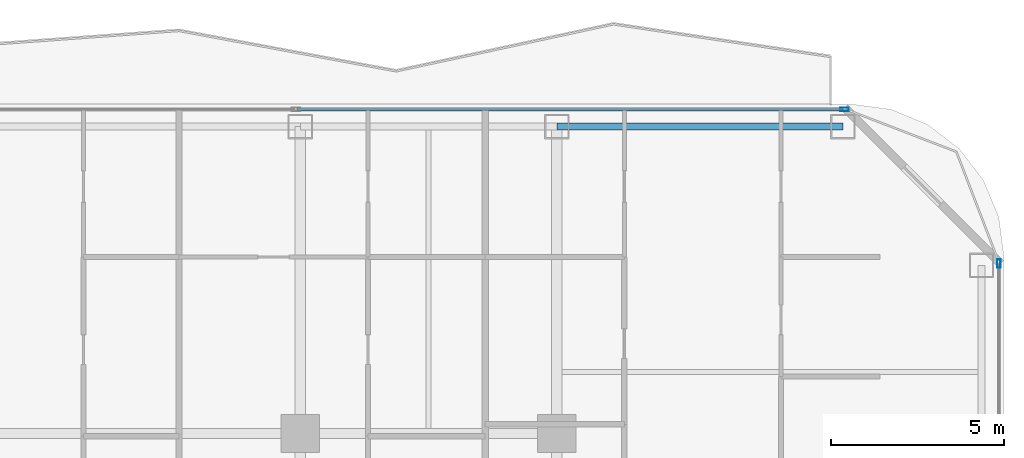
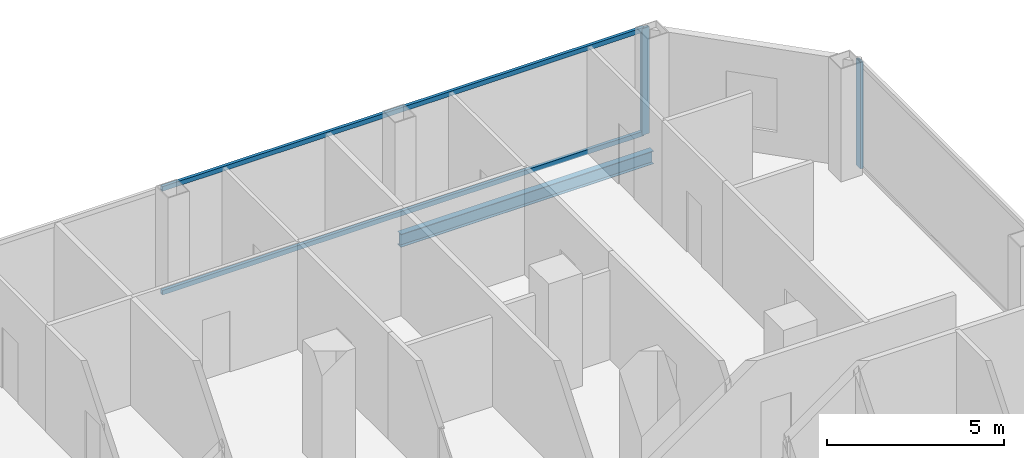
# One storey, part 17 of 26: 4 members, 1 beam, 2 elements without a shape of their own.
"""IFC4 building model written with IfcOpenShell, lengths in metres."""

from ifc_helpers import new_model, si_unit, direction, frame, origin, origin_2d, place, context, subcontext, project, spatial, hollow_rectangle, i_section, extrude, material, layer, layer_set, material_profile, profile_set, type_object, element, aggregate, save


model = new_model("IFC4")

# Units and contexts
model_context = context("Model", 3, precision=1e-05, world=origin(), true_north=direction((0.0, 1.0)))
body_context = subcontext(model_context, "Body", "Model", "MODEL_VIEW")
ifc_project = project(units=[si_unit("LENGTHUNIT", "METRE"), si_unit("AREAUNIT", "SQUARE_METRE"), si_unit("VOLUMEUNIT", "CUBIC_METRE"), si_unit("PLANEANGLEUNIT", "RADIAN"), si_unit("MASSUNIT", "GRAM", prefix="KILO")], contexts=[model_context])

# Site, building, storey
site_placement = place(None, origin())
site = spatial("IfcSite", under=ifc_project, at=site_placement, CompositionType="ELEMENT")
building_placement = place(site_placement, origin())
building = spatial("IfcBuilding", under=site, at=building_placement, Name="Khorvyn Point Tower", CompositionType="ELEMENT")
storey_placement = place(building_placement, frame((0.0, 0.0, 113.39990234375)))
storey = spatial("IfcBuildingStorey", under=building, at=storey_placement, Name="L28", CompositionType="ELEMENT", Elevation=113.39990234375)

# Curtain wall, member
ifc_material_1 = material(Name="Anodised aluminium 6063-T6 and laminated Low-E glass", Category="aluminium")
ifc_layer = layer(ifc_material_1, 0.18994140625)
ifc_layer_set = layer_set([ifc_layer], Name="Stick-Built Acoustic Curtain Wall CW-SYS-03")
curtain_wall_type = type_object("IfcCurtainWallType", Name="Stick-Built Acoustic Curtain Wall CW-SYS-03", PredefinedType="NOTDEFINED", material=ifc_layer_set)
curtain_wall_1_placement = place(storey_placement, origin())
curtain_wall_1 = element("IfcCurtainWall", 1, at=curtain_wall_1_placement, inside=storey, type_object=curtain_wall_type, Name="Curtain Wall", PredefinedType="NOTDEFINED")
ifc_material_2 = material(Name="Anodised aluminium 6063-T6", Category="aluminium")
ifc_material_profile_1 = material_profile(ifc_material_2, hollow_rectangle(XDim=0.10009765625, YDim=0.239990234375, WallThickness=0.0048828125, at=origin_2d()))
ifc_profile_set_1 = profile_set([ifc_material_profile_1], Name="Anodised aluminium 6063-T6 ALU-MUL-100x240")
member_type_1 = type_object("IfcMemberType", Name="Anodised Aluminium 6063-T6 Mullion ALU-MUL-100x240", PredefinedType="MULLION", material=ifc_profile_set_1)
member_1_placement = place(storey_placement, frame((23.10009765625, 29.449951171875, 0.0), z_axis=(0.0, 0.0, 1.0), x_axis=(0.0, 1.0, 0.0)))
member_1 = element("IfcMember", 2, at=member_1_placement, type_object=member_type_1, Name="Transom", PredefinedType="MULLION", context=body_context, shape_type="SweptSolid", body=[
    extrude(hollow_rectangle(XDim=0.10009765625, YDim=0.239990234375, WallThickness=0.0048828125, at=origin_2d()), origin(), (0.0, 0.0, 1.0), 3.68017578125),
])

curtain_wall_2_placement = place(storey_placement, origin())
curtain_wall_2 = element("IfcCurtainWall", 3, at=curtain_wall_2_placement, inside=storey, type_object=curtain_wall_type, Name="Curtain Wall", PredefinedType="NOTDEFINED")
member_2_placement = place(storey_placement, frame((27.550048828125, 25.0, 0.0), z_axis=(0.0, 0.0, 1.0), x_axis=(1.0, 0.0, 0.0)))
member_2 = element("IfcMember", 4, at=member_2_placement, type_object=member_type_1, Name="Transom", PredefinedType="MULLION", context=body_context, shape_type="SweptSolid", body=[
    extrude(hollow_rectangle(XDim=0.10009765625, YDim=0.239990234375, WallThickness=0.0048828125, at=origin_2d()), origin(), (0.0, 0.0, 1.0), 3.68017578125),
])
aggregate(curtain_wall_2, [member_2])

# Member
ifc_material_profile_2 = material_profile(ifc_material_2, hollow_rectangle(XDim=0.10009765625, YDim=0.159912109375, WallThickness=0.00439453125, at=origin_2d()))
ifc_profile_set_2 = profile_set([ifc_material_profile_2], Name="Anodised aluminium 6063-T6 ALU-TRN-100x160")
member_type_2 = type_object("IfcMemberType", Name="Anodised Aluminium 6063-T6 Transom ALU-TRN-100x160", PredefinedType="USERDEFINED", material=ifc_profile_set_2)
member_3_placement = place(storey_placement, frame((7.325439453125, 29.449951171875, 0.050048828125), z_axis=(1.0, 0.0, 0.0), x_axis=(0.0, 1.0, 0.0)))
member_3 = element("IfcMember", 5, at=member_3_placement, type_object=member_type_2, Name="Transom", ObjectType="TRANSOM", PredefinedType="USERDEFINED", context=body_context, shape_type="SweptSolid", body=[
    extrude(hollow_rectangle(XDim=0.10009765625, YDim=0.159912109375, WallThickness=0.00439453125, at=origin_2d()), origin(), (0.0, 0.0, 1.0), 15.724609375),
])

member_4_placement = place(storey_placement, frame((7.325439453125, 29.449951171875, 3.630126953125), z_axis=(1.0, 0.0, 0.0), x_axis=(0.0, 1.0, 0.0)))
member_4 = element("IfcMember", 6, at=member_4_placement, type_object=member_type_2, Name="Transom", ObjectType="TRANSOM", PredefinedType="USERDEFINED", context=body_context, shape_type="SweptSolid", body=[
    extrude(hollow_rectangle(XDim=0.10009765625, YDim=0.159912109375, WallThickness=0.00439453125, at=origin_2d()), origin(), (0.0, 0.0, 1.0), 15.724609375),
])

aggregate(curtain_wall_1, [member_1, member_3, member_4])

# Beam
ifc_material_3 = material(Name="Steel S355", Category="steel")
ifc_material_profile_3 = material_profile(ifc_material_3, i_section(OverallWidth=0.199951171875, OverallDepth=0.449951171875, WebThickness=0.009033203125, FlangeThickness=0.013916015625, at=origin_2d()))
ifc_profile_set_3 = profile_set([ifc_material_profile_3], Name="Steel S355 H450x200x9x14")
beam_type = type_object("IfcBeamType", Name="Steel S355 Spandrel H450x200x9x14", PredefinedType="SPANDREL", material=ifc_profile_set_3)
beam_placement = place(storey_placement, frame((14.800048828125, 28.949951171875, -0.44482421875), z_axis=(1.0, 0.0, 0.0), x_axis=(0.0, 1.0, 0.0)))
element("IfcBeam", 7, at=beam_placement, inside=storey, type_object=beam_type, Name="Beam", PredefinedType="SPANDREL", context=body_context, shape_type="SweptSolid", body=[
    extrude(i_section(OverallWidth=0.199951171875, OverallDepth=0.449951171875, WebThickness=0.009033203125, FlangeThickness=0.013916015625, at=origin_2d()), origin(), (0.0, 0.0, 1.0), 8.25),
])

save(model, "model.ifc")
